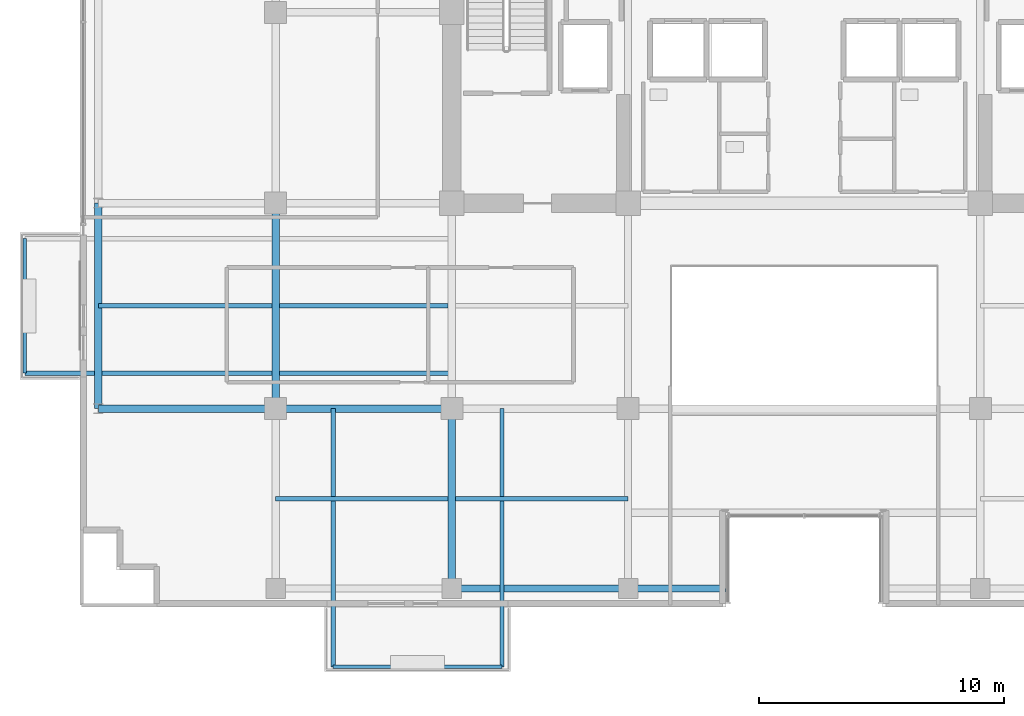
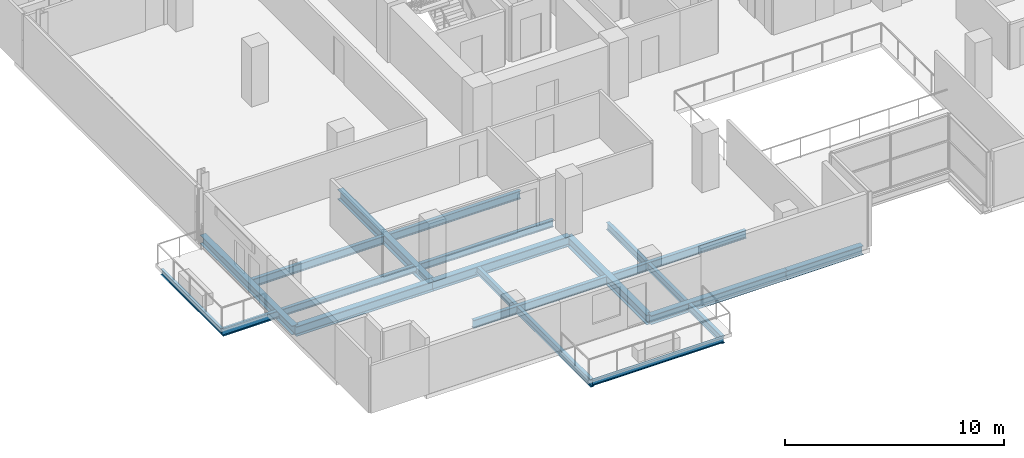
# One storey, part 2 of 27: 16 beams.
"""IFC4 building model written with IfcOpenShell, lengths in metres."""

from ifc_helpers import new_model, si_unit, direction, frame, origin, origin_2d, place, context, subcontext, project, spatial, i_section, extrude, material, material_profile, profile_set, type_object, element, save


model = new_model("IFC4")

# Units and contexts
model_context = context("Model", 3, precision=1e-05, world=origin(), true_north=direction((0.0, 1.0)))
body_context = subcontext(model_context, "Body", "Model", "MODEL_VIEW")
ifc_project = project(units=[si_unit("LENGTHUNIT", "METRE"), si_unit("AREAUNIT", "SQUARE_METRE"), si_unit("VOLUMEUNIT", "CUBIC_METRE"), si_unit("PLANEANGLEUNIT", "RADIAN"), si_unit("MASSUNIT", "GRAM", prefix="KILO")], contexts=[model_context])

# Site, building, storey
site_placement = place(None, origin())
site = spatial("IfcSite", under=ifc_project, at=site_placement, CompositionType="ELEMENT")
building_placement = place(site_placement, origin())
building = spatial("IfcBuilding", under=site, at=building_placement, Name="Zarnakvel Exchange Tower", CompositionType="ELEMENT")
storey_placement = place(building_placement, frame((0.0, 0.0, 96.699951171875)))
storey = spatial("IfcBuildingStorey", under=building, at=storey_placement, Name="L26", CompositionType="ELEMENT", Elevation=96.699951171875)

# Beams
ifc_material = material(Name="Steel S355", Category="steel")
ifc_material_profile_1 = material_profile(ifc_material, i_section(OverallWidth=0.18994140625, OverallDepth=0.449951171875, WebThickness=0.009521484375, FlangeThickness=0.0146484375, FilletRadius=0.02099609375, at=origin_2d()))
ifc_profile_set_1 = profile_set([ifc_material_profile_1], Name="Steel S355")
beam_type_1 = type_object("IfcBeamType", Name="B-05", PredefinedType="JOIST", material=ifc_profile_set_1)
for number, where, z_axis, x_axis, name in (
    (1, (-21.60009765625, -13.27490234375, -0.449951171875), (1.0, 0.0, 0.0), (0.0, 1.0, 0.0), "L26 Composite Floor Secondary Joist"),
    (2, (-14.25, -13.27490234375, -0.449951171875), (1.0, 0.0, 0.0), (0.0, 1.0, 0.0), "L26 Composite Floor Secondary Joist"),
):
    element("IfcBeam", number, at=place(storey_placement, frame(where, z_axis=z_axis, x_axis=x_axis)), inside=storey, type_object=beam_type_1, Name=name, PredefinedType="JOIST", context=body_context, shape_type="SweptSolid", body=[
        extrude(i_section(OverallWidth=0.18994140625, OverallDepth=0.449951171875, WebThickness=0.009521484375, FlangeThickness=0.0146484375, FilletRadius=0.02099609375, at=origin_2d()), origin(), (0.0, 0.0, 1.0), 7.050048828125),
    ])
beam_1_placement = place(storey_placement, frame((-28.85009765625, -5.39990234375, -0.449951171875), z_axis=(1.0, 0.0, 0.0), x_axis=(0.0, 1.0, 0.0)))
element("IfcBeam", 3, at=beam_1_placement, inside=storey, type_object=beam_type_1, Name="L26 Composite Floor Secondary Joist", PredefinedType="JOIST", context=body_context, shape_type="SweptSolid", body=[
    extrude(i_section(OverallWidth=0.18994140625, OverallDepth=0.449951171875, WebThickness=0.009521484375, FlangeThickness=0.0146484375, FilletRadius=0.02099609375, at=origin_2d()), origin(), (0.0, 0.0, 1.0), 7.10009765625),
])
beam_2_placement = place(storey_placement, frame((-21.449951171875, -5.39990234375, -0.449951171875), z_axis=(1.0, 0.0, 0.0), x_axis=(0.0, 1.0, 0.0)))
element("IfcBeam", 4, at=beam_2_placement, inside=storey, type_object=beam_type_1, Name="L26 Composite Floor Secondary Joist", PredefinedType="JOIST", context=body_context, shape_type="SweptSolid", body=[
    extrude(i_section(OverallWidth=0.18994140625, OverallDepth=0.449951171875, WebThickness=0.009521484375, FlangeThickness=0.0146484375, FilletRadius=0.02099609375, at=origin_2d()), origin(), (0.0, 0.0, 1.0), 6.89990234375),
])
ifc_material_profile_2 = material_profile(ifc_material, i_section(OverallWidth=0.179931640625, OverallDepth=0.39990234375, WebThickness=0.008544921875, FlangeThickness=0.013427734375, FilletRadius=0.02099609375, at=origin_2d()))
ifc_profile_set_2 = profile_set([ifc_material_profile_2], Name="Steel S355")
beam_type_2 = type_object("IfcBeamType", Name="B-06", PredefinedType="JOIST", material=ifc_profile_set_2)
for number, where, z_axis, x_axis, name in (
    (5, (-19.25, -9.60009765625, -0.425048828125), (0.0, -1.0, 0.0), (1.0, 0.0, 0.0), "L26 Continuous Back-Spanned Balcony Beam W"),
    (6, (-12.35009765625, -9.60009765625, -0.425048828125), (0.0, -1.0, 0.0), (1.0, 0.0, 0.0), "L26 Continuous Back-Spanned Balcony Beam E"),
):
    element("IfcBeam", number, at=place(storey_placement, frame(where, z_axis=z_axis, x_axis=x_axis)), inside=storey, type_object=beam_type_2, Name=name, PredefinedType="JOIST", context=body_context, shape_type="SweptSolid", body=[
        extrude(i_section(OverallWidth=0.179931640625, OverallDepth=0.39990234375, WebThickness=0.008544921875, FlangeThickness=0.013427734375, FilletRadius=0.02099609375, at=origin_2d()), origin(), (0.0, 0.0, 1.0), 10.5498046875),
    ])
beam_3_placement = place(storey_placement, frame((-14.39990234375, -8.14990234375, -0.425048828125), z_axis=(-1.0, 0.0, 0.0), x_axis=(0.0, -1.0, 0.0)))
element("IfcBeam", 7, at=beam_3_placement, inside=storey, type_object=beam_type_2, Name="L26 Continuous West Loggia Beam S", PredefinedType="JOIST", context=body_context, shape_type="SweptSolid", body=[
    extrude(i_section(OverallWidth=0.179931640625, OverallDepth=0.39990234375, WebThickness=0.008544921875, FlangeThickness=0.013427734375, FilletRadius=0.02099609375, at=origin_2d()), origin(), (0.0, 0.0, 1.0), 17.4501953125),
])
ifc_material_profile_3 = material_profile(ifc_material, i_section(OverallWidth=0.14990234375, OverallDepth=0.300048828125, WebThickness=0.007080078125, FlangeThickness=0.0107421875, FilletRadius=0.014892578125, at=origin_2d()))
ifc_profile_set_3 = profile_set([ifc_material_profile_3], Name="Steel S355")
beam_type_3 = type_object("IfcBeamType", Name="B-08", PredefinedType="JOIST", material=ifc_profile_set_3)
beam_4_placement = place(storey_placement, frame((-19.25, -20.14990234375, -0.375), z_axis=(1.0, 0.0, 0.0), x_axis=(0.0, 1.0, 0.0)))
element("IfcBeam", 8, at=beam_4_placement, inside=storey, type_object=beam_type_3, Name="L26 Balcony Edge Beam", PredefinedType="JOIST", context=body_context, shape_type="SweptSolid", body=[
    extrude(i_section(OverallWidth=0.14990234375, OverallDepth=0.300048828125, WebThickness=0.007080078125, FlangeThickness=0.0107421875, FilletRadius=0.014892578125, at=origin_2d()), origin(), (0.0, 0.0, 1.0), 6.89990234375),
])
beam_5_placement = place(storey_placement, frame((-31.85009765625, -8.14990234375, -0.375), z_axis=(0.0, 1.0, 0.0), x_axis=(-1.0, 0.0, 0.0)))
element("IfcBeam", 9, at=beam_5_placement, inside=storey, type_object=beam_type_3, Name="L26 West Loggia Edge Beam", PredefinedType="JOIST", context=body_context, shape_type="SweptSolid", body=[
    extrude(i_section(OverallWidth=0.14990234375, OverallDepth=0.300048828125, WebThickness=0.007080078125, FlangeThickness=0.0107421875, FilletRadius=0.014892578125, at=origin_2d()), origin(), (0.0, 0.0, 1.0), 5.5),
])
ifc_material_profile_4 = material_profile(ifc_material, i_section(OverallWidth=0.300048828125, OverallDepth=0.550048828125, WebThickness=0.014892578125, FlangeThickness=0.029052734375, FilletRadius=0.027099609375, at=origin_2d()))
ifc_profile_set_4 = profile_set([ifc_material_profile_4], Name="Steel S355")
beam_type_4 = type_object("IfcBeamType", Name="G-05", PredefinedType="BEAM", material=ifc_profile_set_4)
beam_6_placement = place(storey_placement, frame((-28.85009765625, -9.60009765625, -0.5), z_axis=(1.0, 0.0, 0.0), x_axis=(0.0, 1.0, 0.0)))
element("IfcBeam", 10, at=beam_6_placement, inside=storey, type_object=beam_type_4, Name="L26 Tower E-W Frame Beam", PredefinedType="BEAM", context=body_context, shape_type="SweptSolid", body=[
    extrude(i_section(OverallWidth=0.300048828125, OverallDepth=0.550048828125, WebThickness=0.014892578125, FlangeThickness=0.029052734375, FilletRadius=0.027099609375, at=origin_2d()), origin(), (0.0, 0.0, 1.0), 7.25),
])
beam_7_placement = place(storey_placement, frame((-21.60009765625, -9.60009765625, -0.5), z_axis=(1.0, 0.0, 0.0), x_axis=(0.0, 1.0, 0.0)))
element("IfcBeam", 11, at=beam_7_placement, inside=storey, type_object=beam_type_4, Name="L26 Tower E-W Frame Beam", PredefinedType="BEAM", context=body_context, shape_type="SweptSolid", body=[
    extrude(i_section(OverallWidth=0.300048828125, OverallDepth=0.550048828125, WebThickness=0.014892578125, FlangeThickness=0.029052734375, FilletRadius=0.027099609375, at=origin_2d()), origin(), (0.0, 0.0, 1.0), 7.2001953125),
])
beam_8_placement = place(storey_placement, frame((-21.60009765625, -9.60009765625, -0.5), z_axis=(0.0, 1.0, 0.0), x_axis=(-1.0, 0.0, 0.0)))
element("IfcBeam", 12, at=beam_8_placement, inside=storey, type_object=beam_type_4, Name="L26 Tower N-S Frame Beam", PredefinedType="BEAM", context=body_context, shape_type="SweptSolid", body=[
    extrude(i_section(OverallWidth=0.300048828125, OverallDepth=0.550048828125, WebThickness=0.014892578125, FlangeThickness=0.029052734375, FilletRadius=0.027099609375, at=origin_2d()), origin(), (0.0, 0.0, 1.0), 8.400146484375),
])
beam_9_placement = place(storey_placement, frame((-14.39990234375, -16.949951171875, -0.5), z_axis=(0.0, 1.0, 0.0), x_axis=(-1.0, 0.0, 0.0)))
element("IfcBeam", 13, at=beam_9_placement, inside=storey, type_object=beam_type_4, Name="L26 Tower N-S Frame Beam", PredefinedType="BEAM", context=body_context, shape_type="SweptSolid", body=[
    extrude(i_section(OverallWidth=0.300048828125, OverallDepth=0.550048828125, WebThickness=0.014892578125, FlangeThickness=0.029052734375, FilletRadius=0.027099609375, at=origin_2d()), origin(), (0.0, 0.0, 1.0), 7.349853515625),
])
ifc_material_profile_5 = material_profile(ifc_material, i_section(OverallWidth=0.300048828125, OverallDepth=0.5, WebThickness=0.014404296875, FlangeThickness=0.028076171875, FilletRadius=0.027099609375, at=origin_2d()))
ifc_profile_set_5 = profile_set([ifc_material_profile_5], Name="Steel S355")
beam_type_5 = type_object("IfcBeamType", Name="SP-02", PredefinedType="SPANDREL", material=ifc_profile_set_5)
beam_10_placement = place(storey_placement, frame((-14.39990234375, -16.949951171875, -0.474853515625), z_axis=(1.0, 0.0, 0.0), x_axis=(0.0, 1.0, 0.0)))
element("IfcBeam", 14, at=beam_10_placement, inside=storey, type_object=beam_type_5, Name="L26 Tower E-W Frame Beam", PredefinedType="SPANDREL", context=body_context, shape_type="SweptSolid", body=[
    extrude(i_section(OverallWidth=0.300048828125, OverallDepth=0.5, WebThickness=0.014404296875, FlangeThickness=0.028076171875, FilletRadius=0.027099609375, at=origin_2d()), origin(), (0.0, 0.0, 1.0), 7.199951171875),
])
beam_11_placement = place(storey_placement, frame((-7.199951171875, -16.949951171875, -0.474853515625), z_axis=(1.0, 0.0, 0.0), x_axis=(0.0, 1.0, 0.0)))
element("IfcBeam", 15, at=beam_11_placement, inside=storey, type_object=beam_type_5, Name="L26 South Slot West Jamb Spandrel", PredefinedType="SPANDREL", context=body_context, shape_type="SweptSolid", body=[
    extrude(i_section(OverallWidth=0.300048828125, OverallDepth=0.5, WebThickness=0.014404296875, FlangeThickness=0.028076171875, FilletRadius=0.027099609375, at=origin_2d()), origin(), (0.0, 0.0, 1.0), 4.0),
])
beam_12_placement = place(storey_placement, frame((-28.85009765625, -9.60009765625, -0.474853515625), z_axis=(0.0, 1.0, 0.0), x_axis=(-1.0, 0.0, 0.0)))
element("IfcBeam", 16, at=beam_12_placement, inside=storey, type_object=beam_type_5, Name="L26 Tower N-S Frame Beam", PredefinedType="SPANDREL", context=body_context, shape_type="SweptSolid", body=[
    extrude(i_section(OverallWidth=0.300048828125, OverallDepth=0.5, WebThickness=0.014404296875, FlangeThickness=0.028076171875, FilletRadius=0.027099609375, at=origin_2d()), origin(), (0.0, 0.0, 1.0), 8.400146484375),
])

save(model, "model.ifc")
